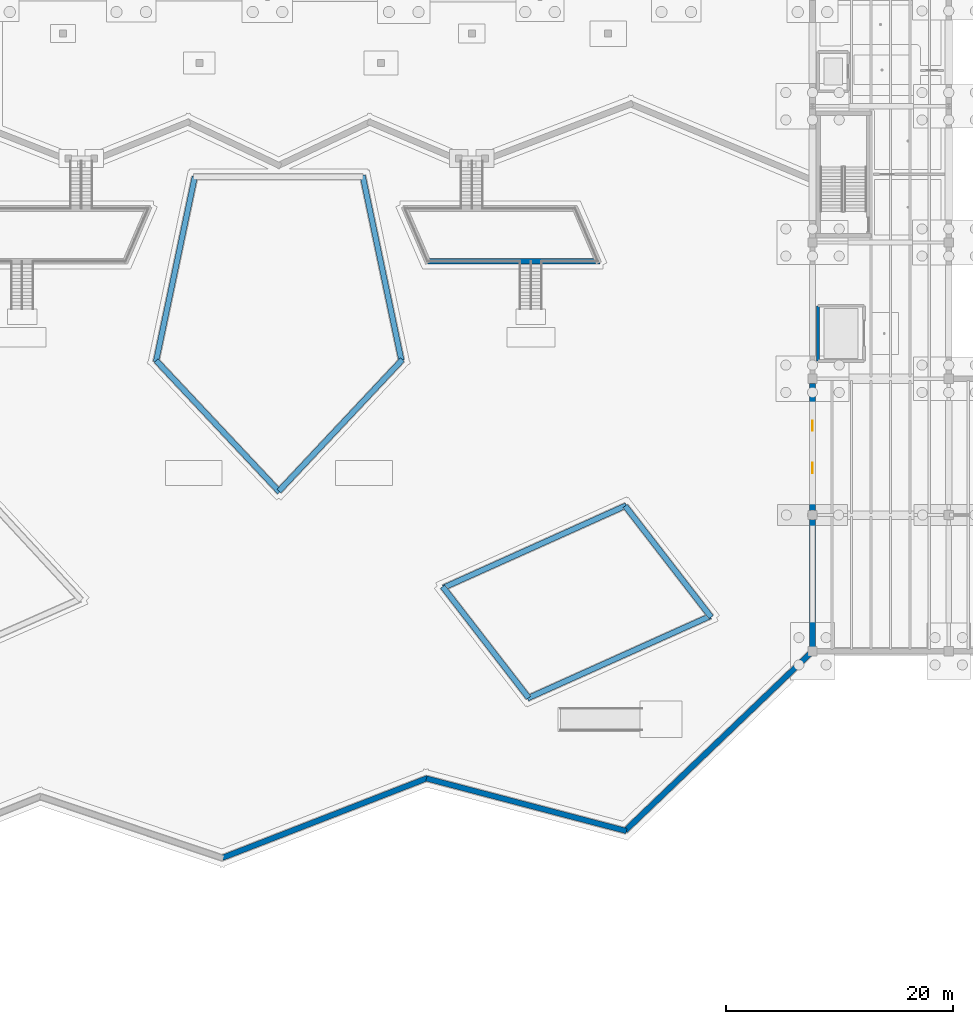
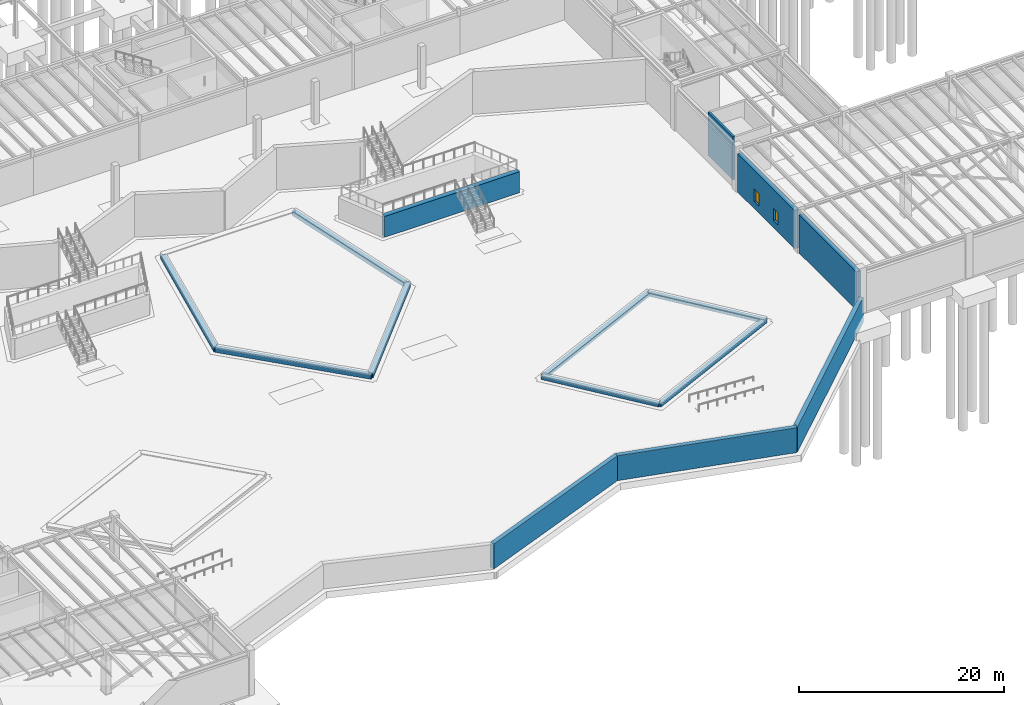
# One storey, part 33 of 67: 15 walls, 2 windows, 2 openings.
"""IFC4 building model written with IfcOpenShell, lengths in metres."""

from ifc_helpers import new_model, si_unit, direction, frame, frame_2d, origin, place, context, subcontext, project, spatial, rectangle, extrude, material, layer, layer_set, type_object, element, fill, save


model = new_model("IFC4")

# Units and contexts
model_context = context("Model", 3, precision=1e-05, world=origin(), true_north=direction((0.0, 1.0)))
body_context = subcontext(model_context, "Body", "Model", "MODEL_VIEW")
ifc_project = project(units=[si_unit("LENGTHUNIT", "METRE"), si_unit("AREAUNIT", "SQUARE_METRE"), si_unit("VOLUMEUNIT", "CUBIC_METRE"), si_unit("PLANEANGLEUNIT", "RADIAN"), si_unit("MASSUNIT", "GRAM", prefix="KILO")], contexts=[model_context])

# Site, building, storey
site_placement = place(None, origin())
site = spatial("IfcSite", under=ifc_project, at=site_placement, CompositionType="ELEMENT")
building_placement = place(site_placement, origin())
building = spatial("IfcBuilding", under=site, at=building_placement, Name="Zlatogorsky Bluff Art Gallery", CompositionType="ELEMENT")
storey_placement = place(building_placement, frame((0.0, 0.0, -5.39990234375)))
storey = spatial("IfcBuildingStorey", under=building, at=storey_placement, Name="B1", CompositionType="ELEMENT", Elevation=-5.39990234375)

# Walls
ifc_material_1 = material(Name="Precast concrete C40/50", Category="concrete")
ifc_layer_1 = layer(ifc_material_1, 0.47998046875)
ifc_layer_set_1 = layer_set([ifc_layer_1], Name="Exterior Wall EW-05 480mm")
wall_type_1 = type_object("IfcWallType", Name="Exterior Wall EW-05 480mm", PredefinedType="SOLIDWALL", material=ifc_layer_set_1)
wall_1_placement = place(storey_placement, frame((65.60009765625, 68.199951171875, 0.0), z_axis=(0.0, 0.0, 1.0), x_axis=(-0.20541120813, -0.978675756098, 0.0)))
element("IfcWall", 1, at=wall_1_placement, inside=storey, type_object=wall_type_1, Name="Stepped river-bluff angled concrete wall PRW-01", PredefinedType="SOLIDWALL", context=body_context, shape_type="SweptSolid", body=[
    extrude(rectangle(XDim=16.6728515625, YDim=0.47998046875, at=frame_2d((8.33642578125, 0.0))), origin(), (0.0, 0.0, 1.0), 0.52001953125),
])
for number, where, z_axis, x_axis, name in (
    (2, (62.199951171875, 52.0, 0.0), (0.0, 0.0, 1.0), (0.684573347302, -0.728943984243, 0.0), "Stepped river-bluff angled concrete wall PRW-02"),
    (3, (73.0, 40.5, 0.0), (0.0, 0.0, 1.0), (0.684573347302, 0.728943984243, 0.0), "Stepped river-bluff angled concrete wall PRW-03"),
):
    element("IfcWall", number, at=place(storey_placement, frame(where, z_axis=z_axis, x_axis=x_axis)), inside=storey, type_object=wall_type_1, Name=name, PredefinedType="SOLIDWALL", context=body_context, shape_type="SweptSolid", body=[
        extrude(rectangle(XDim=15.896240234375, YDim=0.47998046875, at=frame_2d((7.9482421875, 0.0))), origin(), (0.0, 0.0, 1.0), 0.52001953125),
    ])
wall_2_placement = place(storey_placement, frame((83.800048828125, 52.0, 0.0), z_axis=(0.0, 0.0, 1.0), x_axis=(-0.205397182964, 0.978678699692, 0.0)))
element("IfcWall", 4, at=wall_2_placement, inside=storey, type_object=wall_type_1, Name="Stepped river-bluff angled concrete wall PRW-04", PredefinedType="SOLIDWALL", context=body_context, shape_type="SweptSolid", body=[
    extrude(rectangle(XDim=16.6728515625, YDim=0.47998046875, at=frame_2d((8.33642578125, 0.0))), origin(), (0.0, 0.0, 1.0), 0.52001953125),
])
wall_3_placement = place(storey_placement, frame((68.0, 8.199951171875, -1.300048828125), z_axis=(0.0, 0.0, 1.0), x_axis=(0.932005143077, 0.362445048632, 0.0)))
element("IfcWall", 5, at=wall_3_placement, inside=storey, type_object=wall_type_1, Name="Stepped river-bluff angled concrete wall SBF-03", PredefinedType="SOLIDWALL", context=body_context, shape_type="SweptSolid", body=[
    extrude(rectangle(XDim=19.43310546875, YDim=0.47998046875, at=frame_2d((9.716552734375, 0.0))), origin(), (0.0, 0.0, 1.0), 2.949951171875),
])
wall_4_placement = place(storey_placement, frame((86.0, 15.199951171875, -1.300048828125), z_axis=(0.0, 0.0, 1.0), x_axis=(0.967148459161, -0.254212230119, 0.0)))
element("IfcWall", 6, at=wall_4_placement, inside=storey, type_object=wall_type_1, Name="Stepped river-bluff angled concrete wall SBF-04", PredefinedType="SOLIDWALL", context=body_context, shape_type="SweptSolid", body=[
    extrude(rectangle(XDim=18.214599609375, YDim=0.47998046875, at=frame_2d((9.107421875, 0.0))), origin(), (0.0, 0.0, 1.0), 2.949951171875),
])
wall_5_placement = place(storey_placement, frame((103.5, 10.60009765625, -1.300048828125), z_axis=(0.0, 0.0, 1.0), x_axis=(0.722265411665, 0.691615988185, 0.0)))
element("IfcWall", 7, at=wall_5_placement, inside=storey, type_object=wall_type_1, Name="Stepped river-bluff angled concrete wall SBF-05", PredefinedType="SOLIDWALL", context=body_context, shape_type="SweptSolid", body=[
    extrude(rectangle(XDim=22.96484375, YDim=0.47998046875, at=frame_2d((11.482421875, 0.0))), origin(), (0.0, 0.0, 1.0), 2.949951171875),
])
wall_6_placement = place(storey_placement, frame((87.5, 32.0, 0.0), z_axis=(0.0, 0.0, 1.0), x_axis=(0.911920470803, 0.410366975927, 0.0)))
element("IfcWall", 8, at=wall_6_placement, inside=storey, type_object=wall_type_1, Name="Stepped river-bluff angled concrete wall EPL-01", PredefinedType="SOLIDWALL", context=body_context, shape_type="SweptSolid", body=[
    extrude(rectangle(XDim=17.665283203125, YDim=0.47998046875, at=frame_2d((8.83251953125, 0.0))), origin(), (0.0, 0.0, 1.0), 0.3798828125),
])
wall_7_placement = place(storey_placement, frame((103.5, 39.199951171875, 0.0), z_axis=(0.0, 0.0, 1.0), x_axis=(0.611684298489, -0.791101964972, 0.0)))
element("IfcWall", 9, at=wall_7_placement, inside=storey, type_object=wall_type_1, Name="Stepped river-bluff angled concrete wall EPL-02", PredefinedType="SOLIDWALL", context=body_context, shape_type="SweptSolid", body=[
    extrude(rectangle(XDim=12.38134765625, YDim=0.47998046875, at=frame_2d((6.190673828125, 0.0))), origin(), (0.0, 0.0, 1.0), 0.3798828125),
])
wall_8_placement = place(storey_placement, frame((111.0, 29.5, 0.0), z_axis=(0.0, 0.0, 1.0), x_axis=(-0.911920470803, -0.410366975927, 0.0)))
element("IfcWall", 10, at=wall_8_placement, inside=storey, type_object=wall_type_1, Name="Stepped river-bluff angled concrete wall EPL-03", PredefinedType="SOLIDWALL", context=body_context, shape_type="SweptSolid", body=[
    extrude(rectangle(XDim=17.665283203125, YDim=0.47998046875, at=frame_2d((8.83251953125, 0.0))), origin(), (0.0, 0.0, 1.0), 0.3798828125),
])
wall_9_placement = place(storey_placement, frame((95.0, 22.300048828125, 0.0), z_axis=(0.0, 0.0, 1.0), x_axis=(-0.611684298489, 0.791101964972, 0.0)))
element("IfcWall", 11, at=wall_9_placement, inside=storey, type_object=wall_type_1, Name="Stepped river-bluff angled concrete wall EPL-04", PredefinedType="SOLIDWALL", context=body_context, shape_type="SweptSolid", body=[
    extrude(rectangle(XDim=12.38134765625, YDim=0.47998046875, at=frame_2d((6.190673828125, 0.0))), origin(), (0.0, 0.0, 1.0), 0.3798828125),
])
ifc_material_2 = material(Name="Concrete C35/45", Category="concrete")
ifc_layer_2 = layer(ifc_material_2, 0.5)
ifc_layer_set_2 = layer_set([ifc_layer_2], Name="Exterior Wall RW-02 500mm")
wall_type_2 = type_object("IfcWallType", Name="Exterior Wall RW-02 500mm", PredefinedType="USERDEFINED", material=ifc_layer_set_2)
wall_10_placement = place(storey_placement, frame((120.0, 38.0048828125, 0.0), z_axis=(0.0, 0.0, 1.0), x_axis=(0.0, -1.0, 0.0)))
element("IfcWall", 12, at=wall_10_placement, inside=storey, type_object=wall_type_2, Name="Exterior wall RW-02 B1 W 10.3", ObjectType="RETAINING WALL", PredefinedType="USERDEFINED", context=body_context, shape_type="SweptSolid", body=[
    extrude(rectangle(XDim=11.2099609375, YDim=0.5, at=frame_2d((5.60498046875, 0.0))), origin(), (0.0, 0.0, 1.0), 4.539794921875),
])
ifc_layer_3 = layer(ifc_material_2, 0.52001953125)
ifc_layer_set_3 = layer_set([ifc_layer_3], Name="Exterior Wall RW-03 520mm")
wall_type_3 = type_object("IfcWallType", Name="Exterior Wall RW-03 520mm", PredefinedType="USERDEFINED", material=ifc_layer_set_3)
wall_11_placement = place(storey_placement, frame((86.10009765625, 60.75, 0.0), z_axis=(0.0, 0.0, 1.0), x_axis=(1.0, 0.0, 0.0)))
element("IfcWall", 13, at=wall_11_placement, inside=storey, type_object=wall_type_3, Name="Stepped river-bluff angled concrete wall EMD-01", ObjectType="RETAINING WALL", PredefinedType="USERDEFINED", context=body_context, shape_type="SweptSolid", body=[
    extrude(rectangle(XDim=15.179931640625, YDim=0.52001953125, at=frame_2d((7.58984375, 0.0))), origin(), (0.0, 0.0, 1.0), 2.489990234375),
])

# Wall, openings, windows
wall_12_placement = place(storey_placement, frame((120.0, 50.0048828125, 0.0), z_axis=(0.0, 0.0, 1.0), x_axis=(0.0, -1.0, 0.0)))
wall_12 = element("IfcWall", 14, at=wall_12_placement, inside=storey, type_object=wall_type_3, Name="Exterior wall RW-03 B1 W 10.4", ObjectType="RETAINING WALL", PredefinedType="USERDEFINED", context=body_context, shape_type="SweptSolid", body=[
    extrude(rectangle(XDim=11.2099609375, YDim=0.52001953125, at=frame_2d((5.60498046875, 0.0))), origin(), (0.0, 0.0, 1.0), 4.539794921875),
])
opening_1_placement = place(wall_12_placement, frame((3.287109375, 0.0, 0.85009765625)))
opening_1 = element("IfcOpeningElement", 15, at=opening_1_placement, cuts=wall_12, Name="Opening WN-01", PredefinedType="OPENING", context=body_context, shape_type="SweptSolid", body=[
    extrude(rectangle(XDim=0.89990234375, YDim=1.5, at=frame_2d((0.449951171875, 0.75))), frame((0.0, 0.27001953125, 0.0), z_axis=(0.0, -1.0, 0.0), x_axis=(1.0, 0.0, 0.0)), (0.0, 0.0, 1.0), 0.5400390625),
])
opening_2_placement = place(wall_12_placement, frame((7.02294921875, 0.0, 0.85009765625)))
opening_2 = element("IfcOpeningElement", 16, at=opening_2_placement, cuts=wall_12, Name="Opening WN-01", PredefinedType="OPENING", context=body_context, shape_type="SweptSolid", body=[
    extrude(rectangle(XDim=0.89990234375, YDim=1.5, at=frame_2d((0.449951171875, 0.75))), frame((0.0, 0.27001953125, 0.0), z_axis=(0.0, -1.0, 0.0), x_axis=(1.0, 0.0, 0.0)), (0.0, 0.0, 1.0), 0.5400390625),
])
ifc_material_3 = material(Name="Bronze-Anodised Aluminium Triple Glazing", Category="aluminium")
window_type = type_object("IfcWindowType", Name="Pointed-Reveal Window WN-01 900x1500", PartitioningType="SINGLE_PANEL", PredefinedType="WINDOW", material=ifc_material_3)
window_1_placement = place(opening_1_placement, origin())
window_1 = element("IfcWindow", 17, at=window_1_placement, inside=storey, type_object=window_type, Name="Window WN-01 B1.W.10.4.1", OverallHeight=1.5, OverallWidth=0.89990234375, PartitioningType="SINGLE_PANEL", PredefinedType="WINDOW", context=body_context, shape_type="SweptSolid", body=[
    extrude(rectangle(XDim=0.89990234375, YDim=1.5, at=frame_2d((0.449951171875, 0.75))), frame((0.0, 0.030029296875, 0.0), z_axis=(0.0, -1.0, 0.0), x_axis=(1.0, 0.0, 0.0)), (0.0, 0.0, 1.0), 0.06005859375),
])
fill(opening_1, window_1)
window_2_placement = place(opening_2_placement, origin())
window_2 = element("IfcWindow", 18, at=window_2_placement, inside=storey, type_object=window_type, Name="Window WN-01 B1.W.10.4.2", OverallHeight=1.5, OverallWidth=0.89990234375, PartitioningType="SINGLE_PANEL", PredefinedType="WINDOW", context=body_context, shape_type="SweptSolid", body=[
    extrude(rectangle(XDim=0.89990234375, YDim=1.5, at=frame_2d((0.449951171875, 0.75))), frame((0.0, 0.030029296875, 0.0), z_axis=(0.0, -1.0, 0.0), x_axis=(1.0, 0.0, 0.0)), (0.0, 0.0, 1.0), 0.06005859375),
])
fill(opening_2, window_2)

# Wall
ifc_layer_4 = layer(ifc_material_2, 0.25)
ifc_layer_set_4 = layer_set([ifc_layer_4], Name="Interior Wall IW-05 250mm")
wall_type_4 = type_object("IfcWallType", Name="Interior Wall IW-05 250mm", PredefinedType="SOLIDWALL", material=ifc_layer_set_4)
wall_13_placement = place(storey_placement, frame((120.4951171875, 56.824951171875, 0.0), z_axis=(0.0, 0.0, 1.0), x_axis=(0.0, -1.0, 0.0)))
element("IfcWall", 19, at=wall_13_placement, inside=storey, type_object=wall_type_4, Name="Lift GL-1 shaft wall B1 W", PredefinedType="SOLIDWALL", context=body_context, shape_type="SweptSolid", body=[
    extrude(rectangle(XDim=4.849853515625, YDim=0.25, at=frame_2d((2.4248046875, 0.0))), origin(), (0.0, 0.0, 1.0), 5.119873046875),
])

save(model, "model.ifc")
